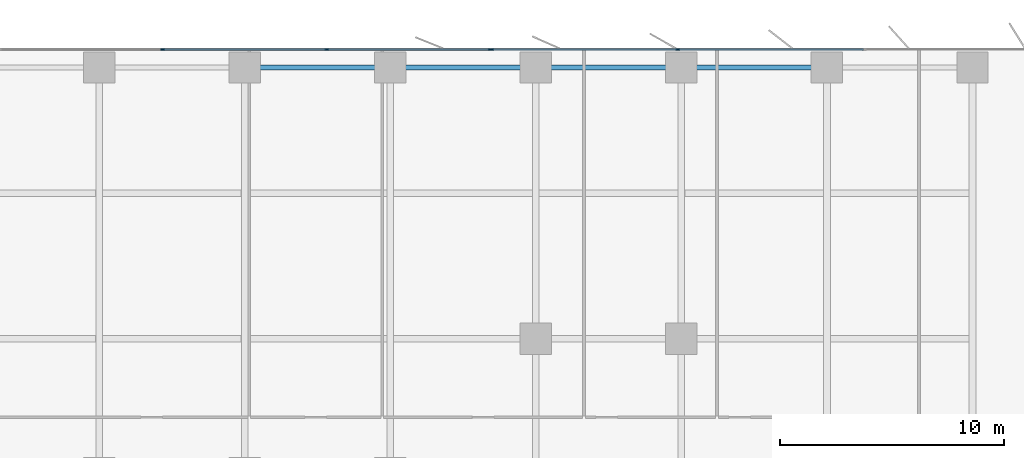
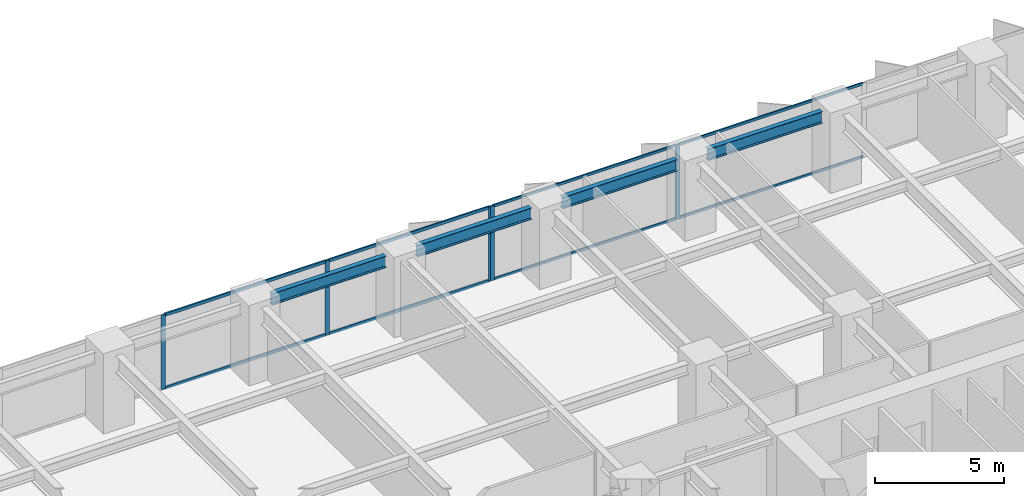
# One storey, part 9 of 20: 13 members, 4 beams, 2 elements without a shape of their own.
"""IFC4 building model written with IfcOpenShell, lengths in metres."""

from ifc_helpers import new_model, si_unit, direction, frame, origin, origin_2d, place, context, subcontext, project, spatial, rectangle, i_section, extrude, material, layer, layer_set, material_profile, profile_set, type_object, element, aggregate, save


model = new_model("IFC4")

# Units and contexts
model_context = context("Model", 3, precision=1e-05, world=origin(), true_north=direction((0.0, 1.0)))
body_context = subcontext(model_context, "Body", "Model", "MODEL_VIEW")
ifc_project = project(units=[si_unit("LENGTHUNIT", "METRE"), si_unit("AREAUNIT", "SQUARE_METRE"), si_unit("VOLUMEUNIT", "CUBIC_METRE"), si_unit("PLANEANGLEUNIT", "RADIAN"), si_unit("MASSUNIT", "GRAM", prefix="KILO")], contexts=[model_context])

# Site, building, storey
site_placement = place(None, origin())
site = spatial("IfcSite", under=ifc_project, at=site_placement, CompositionType="ELEMENT")
building_placement = place(site_placement, origin())
building = spatial("IfcBuilding", under=site, at=building_placement, Name="Putna Gate Headquarters", CompositionType="ELEMENT")
storey_placement = place(building_placement, frame((0.0, 0.0, 77.199951171875)))
storey = spatial("IfcBuildingStorey", under=building, at=storey_placement, Name="L18", CompositionType="ELEMENT", Elevation=77.199951171875)

# Beams
ifc_material_1 = material(Name="Steel S355J2", Category="steel")
ifc_material_profile_1 = material_profile(ifc_material_1, i_section(OverallWidth=0.2099609375, OverallDepth=0.550048828125, WebThickness=0.010986328125, FlangeThickness=0.01708984375, at=origin_2d()), Name="Steel S355J2")
ifc_profile_set_1 = profile_set([ifc_material_profile_1], Name="Steel S355J2")
beam_type = type_object("IfcBeamType", Name="BM-SPAN-Z1-IPE550", PredefinedType="SPANDREL", material=ifc_profile_set_1)
for number, where, z_axis, x_axis, name in (
    (1, (39.68798828125, 51.1201171875, 3.2451171875), (1.0, 0.0, 0.0), (0.0, 1.0, 0.0), "L18 N Perimeter Spandrel 6"),
    (2, (46.18798828125, 51.1201171875, 3.2451171875), (1.0, 0.0, 0.0), (0.0, 1.0, 0.0), "L18 N Perimeter Spandrel 7"),
    (3, (52.68798828125, 51.1201171875, 3.2451171875), (1.0, 0.0, 0.0), (0.0, 1.0, 0.0), "L18 N Perimeter Spandrel 8"),
    (4, (59.18798828125, 51.1201171875, 3.2451171875), (1.0, 0.0, 0.0), (0.0, 1.0, 0.0), "L18 N Perimeter Spandrel 9"),
):
    element("IfcBeam", number, at=place(storey_placement, frame(where, z_axis=z_axis, x_axis=x_axis)), inside=storey, type_object=beam_type, Name=name, PredefinedType="SPANDREL", context=body_context, shape_type="SweptSolid", body=[
        extrude(i_section(OverallWidth=0.2099609375, OverallDepth=0.550048828125, WebThickness=0.010986328125, FlangeThickness=0.01708984375, at=origin_2d()), origin(), (0.0, 0.0, 1.0), 5.1240234375),
    ])

# Curtain wall, members
ifc_material_2 = material(Name="Anodised bronze aluminium curtain wall", Category="aluminium")
ifc_layer_1 = layer(ifc_material_2, 0.179931640625)
ifc_layer_set_1 = layer_set([ifc_layer_1], Name="Anodised bronze aluminium curtain wall")
curtain_wall_type_1 = type_object("IfcCurtainWallType", Name="CW-SYS-Z1", PredefinedType="USERDEFINED", material=ifc_layer_set_1)
curtain_wall_1_placement = place(storey_placement, origin())
curtain_wall_1 = element("IfcCurtainWall", 5, at=curtain_wall_1_placement, inside=storey, type_object=curtain_wall_type_1, Name="L18 North East Curtain Wall", ObjectType="STICK CURTAIN WALL", PredefinedType="USERDEFINED")
ifc_material_3 = material(Name="Anodised bronze aluminium EN AW-6060", Category="aluminium")
ifc_material_profile_2 = material_profile(ifc_material_3, rectangle(XDim=0.070068359375, YDim=0.179931640625, at=origin_2d()), Name="Anodised bronze aluminium EN AW-6060")
ifc_profile_set_2 = profile_set([ifc_material_profile_2], Name="Anodised bronze aluminium EN AW-6060")
member_type_1 = type_object("IfcMemberType", Name="MULL-CWM-1", PredefinedType="MULLION", material=ifc_profile_set_2)
member_1_placement = place(storey_placement, frame((50.034912109375, 51.919921875, 0.0), z_axis=(0.0, 0.0, 1.0), x_axis=(0.0, 1.0, 0.0)))
member_1 = element("IfcMember", 6, at=member_1_placement, type_object=member_type_1, Name="CWS-1 mullion 1", PredefinedType="MULLION", context=body_context, shape_type="SweptSolid", body=[
    extrude(rectangle(XDim=0.070068359375, YDim=0.179931640625, at=origin_2d()), origin(), (0.0, 0.0, 1.0), 3.52001953125),
])
member_2_placement = place(storey_placement, frame((58.333251953125, 51.919921875, 0.0), z_axis=(0.0, 0.0, 1.0), x_axis=(0.0, 1.0, 0.0)))
member_2 = element("IfcMember", 7, at=member_2_placement, type_object=member_type_1, Name="CWS-1 mullion 2", PredefinedType="MULLION", context=body_context, shape_type="SweptSolid", body=[
    extrude(rectangle(XDim=0.070068359375, YDim=0.179931640625, at=origin_2d()), origin(), (0.0, 0.0, 1.0), 3.52001953125),
])

ifc_layer_2 = layer(ifc_material_2, 0.179931640625)
ifc_layer_set_2 = layer_set([ifc_layer_2], Name="Anodised bronze aluminium curtain wall")
curtain_wall_type_2 = type_object("IfcCurtainWallType", Name="CW-SYS-ATR", PredefinedType="USERDEFINED", material=ifc_layer_set_2)
curtain_wall_2_placement = place(storey_placement, origin())
curtain_wall_2 = element("IfcCurtainWall", 8, at=curtain_wall_2_placement, inside=storey, type_object=curtain_wall_type_2, Name="L18 North Atrium Clear Glazing", ObjectType="ATRIUM GLAZING", PredefinedType="USERDEFINED")
ifc_material_profile_3 = material_profile(ifc_material_3, rectangle(XDim=0.070068359375, YDim=0.179931640625, at=origin_2d()), Name="Anodised bronze aluminium EN AW-6060")
ifc_profile_set_3 = profile_set([ifc_material_profile_3], Name="Anodised bronze aluminium EN AW-6060")
member_type_2 = type_object("IfcMemberType", Name="MULL-CWM-AT", PredefinedType="MULLION", material=ifc_profile_set_3)
member_3_placement = place(storey_placement, frame((35.333251953125, 51.919921875, 0.0), z_axis=(0.0, 0.0, 1.0), x_axis=(0.0, 1.0, 0.0)))
member_3 = element("IfcMember", 9, at=member_3_placement, type_object=member_type_2, Name="CWS-AT mullion 2", PredefinedType="MULLION", context=body_context, shape_type="SweptSolid", body=[
    extrude(rectangle(XDim=0.070068359375, YDim=0.179931640625, at=origin_2d()), origin(), (0.0, 0.0, 1.0), 3.52001953125),
])
member_4_placement = place(storey_placement, frame((42.666748046875, 51.919921875, 0.0), z_axis=(0.0, 0.0, 1.0), x_axis=(0.0, 1.0, 0.0)))
member_4 = element("IfcMember", 10, at=member_4_placement, type_object=member_type_2, Name="CWS-AT mullion 3", PredefinedType="MULLION", context=body_context, shape_type="SweptSolid", body=[
    extrude(rectangle(XDim=0.070068359375, YDim=0.179931640625, at=origin_2d()), origin(), (0.0, 0.0, 1.0), 3.52001953125),
])
member_5_placement = place(storey_placement, frame((49.965087890625, 51.919921875, 0.0), z_axis=(0.0, 0.0, 1.0), x_axis=(0.0, 1.0, 0.0)))
member_5 = element("IfcMember", 11, at=member_5_placement, type_object=member_type_2, Name="CWS-AT mullion 4", PredefinedType="MULLION", context=body_context, shape_type="SweptSolid", body=[
    extrude(rectangle(XDim=0.070068359375, YDim=0.179931640625, at=origin_2d()), origin(), (0.0, 0.0, 1.0), 3.52001953125),
])

# Member
ifc_material_profile_4 = material_profile(ifc_material_3, rectangle(XDim=0.06494140625, YDim=0.1201171875, at=origin_2d()), Name="Anodised bronze aluminium EN AW-6060")
ifc_profile_set_4 = profile_set([ifc_material_profile_4], Name="Anodised bronze aluminium EN AW-6060")
member_type_3 = type_object("IfcMemberType", Name="TRAN-CWT-1", PredefinedType="USERDEFINED", material=ifc_profile_set_4)
member_6_placement = place(storey_placement, frame((50.070068359375, 51.919921875, 0.032470703125), z_axis=(1.0, 0.0, 0.0), x_axis=(0.0, 1.0, 0.0)))
member_6 = element("IfcMember", 12, at=member_6_placement, type_object=member_type_3, Name="CWS-1 transom 1.1", ObjectType="TRANSOM", PredefinedType="USERDEFINED", context=body_context, shape_type="SweptSolid", body=[
    extrude(rectangle(XDim=0.06494140625, YDim=0.1201171875, at=origin_2d()), origin(), (0.0, 0.0, 1.0), 8.228271484375),
])

member_7_placement = place(storey_placement, frame((50.070068359375, 51.919921875, 3.487548828125), z_axis=(1.0, 0.0, 0.0), x_axis=(0.0, 1.0, 0.0)))
member_7 = element("IfcMember", 13, at=member_7_placement, type_object=member_type_3, Name="CWS-1 transom 1.2", ObjectType="TRANSOM", PredefinedType="USERDEFINED", context=body_context, shape_type="SweptSolid", body=[
    extrude(rectangle(XDim=0.06494140625, YDim=0.1201171875, at=origin_2d()), origin(), (0.0, 0.0, 1.0), 8.228271484375),
])

member_8_placement = place(storey_placement, frame((58.368408203125, 51.919921875, 0.032470703125), z_axis=(1.0, 0.0, 0.0), x_axis=(0.0, 1.0, 0.0)))
member_8 = element("IfcMember", 14, at=member_8_placement, type_object=member_type_3, Name="CWS-1 transom 2.1", ObjectType="TRANSOM", PredefinedType="USERDEFINED", context=body_context, shape_type="SweptSolid", body=[
    extrude(rectangle(XDim=0.06494140625, YDim=0.1201171875, at=origin_2d()), origin(), (0.0, 0.0, 1.0), 8.26318359375),
])

member_9_placement = place(storey_placement, frame((58.368408203125, 51.919921875, 3.487548828125), z_axis=(1.0, 0.0, 0.0), x_axis=(0.0, 1.0, 0.0)))
member_9 = element("IfcMember", 15, at=member_9_placement, type_object=member_type_3, Name="CWS-1 transom 2.2", ObjectType="TRANSOM", PredefinedType="USERDEFINED", context=body_context, shape_type="SweptSolid", body=[
    extrude(rectangle(XDim=0.06494140625, YDim=0.1201171875, at=origin_2d()), origin(), (0.0, 0.0, 1.0), 8.26318359375),
])

aggregate(curtain_wall_1, [member_1, member_2, member_6, member_7, member_8, member_9])

ifc_material_profile_5 = material_profile(ifc_material_3, rectangle(XDim=0.070068359375, YDim=0.139892578125, at=origin_2d()), Name="Anodised bronze aluminium EN AW-6060")
ifc_profile_set_5 = profile_set([ifc_material_profile_5], Name="Anodised bronze aluminium EN AW-6060")
member_type_4 = type_object("IfcMemberType", Name="TRAN-CWT-AT", PredefinedType="USERDEFINED", material=ifc_profile_set_5)
member_10_placement = place(storey_placement, frame((35.368408203125, 51.919921875, 0.03515625), z_axis=(1.0, 0.0, 0.0), x_axis=(0.0, 1.0, 0.0)))
member_10 = element("IfcMember", 16, at=member_10_placement, type_object=member_type_4, Name="CWS-AT transom 2.1", ObjectType="TRANSOM", PredefinedType="USERDEFINED", context=body_context, shape_type="SweptSolid", body=[
    extrude(rectangle(XDim=0.070068359375, YDim=0.139892578125, at=origin_2d()), origin(), (0.0, 0.0, 1.0), 7.26318359375),
])

member_11_placement = place(storey_placement, frame((35.368408203125, 51.919921875, 3.485107421875), z_axis=(1.0, 0.0, 0.0), x_axis=(0.0, 1.0, 0.0)))
member_11 = element("IfcMember", 17, at=member_11_placement, type_object=member_type_4, Name="CWS-AT transom 2.2", ObjectType="TRANSOM", PredefinedType="USERDEFINED", context=body_context, shape_type="SweptSolid", body=[
    extrude(rectangle(XDim=0.070068359375, YDim=0.139892578125, at=origin_2d()), origin(), (0.0, 0.0, 1.0), 7.26318359375),
])

member_12_placement = place(storey_placement, frame((42.70166015625, 51.919921875, 0.03515625), z_axis=(1.0, 0.0, 0.0), x_axis=(0.0, 1.0, 0.0)))
member_12 = element("IfcMember", 18, at=member_12_placement, type_object=member_type_4, Name="CWS-AT transom 3.1", ObjectType="TRANSOM", PredefinedType="USERDEFINED", context=body_context, shape_type="SweptSolid", body=[
    extrude(rectangle(XDim=0.070068359375, YDim=0.139892578125, at=origin_2d()), origin(), (0.0, 0.0, 1.0), 7.228271484375),
])

member_13_placement = place(storey_placement, frame((42.70166015625, 51.919921875, 3.485107421875), z_axis=(1.0, 0.0, 0.0), x_axis=(0.0, 1.0, 0.0)))
member_13 = element("IfcMember", 19, at=member_13_placement, type_object=member_type_4, Name="CWS-AT transom 3.2", ObjectType="TRANSOM", PredefinedType="USERDEFINED", context=body_context, shape_type="SweptSolid", body=[
    extrude(rectangle(XDim=0.070068359375, YDim=0.139892578125, at=origin_2d()), origin(), (0.0, 0.0, 1.0), 7.228271484375),
])

aggregate(curtain_wall_2, [member_3, member_4, member_5, member_10, member_11, member_12, member_13])

save(model, "model.ifc")
